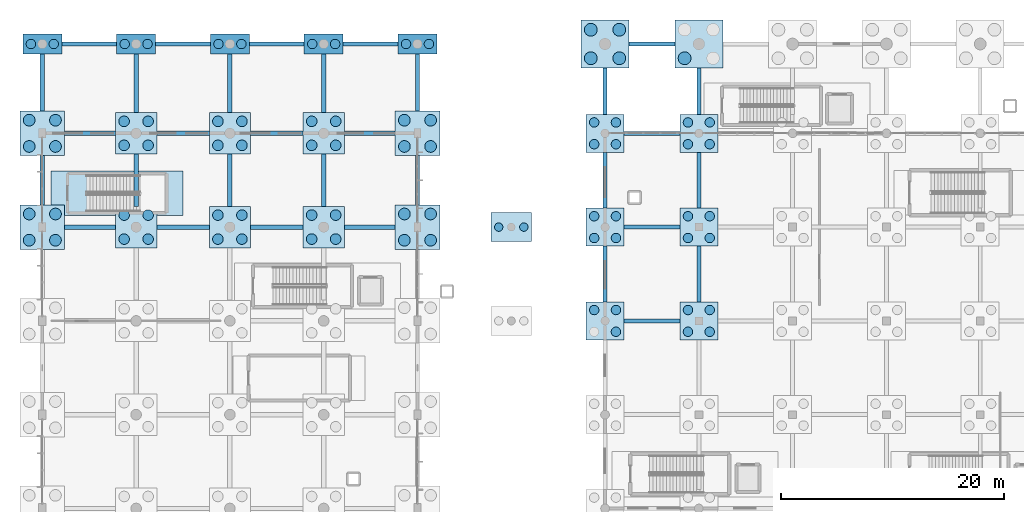
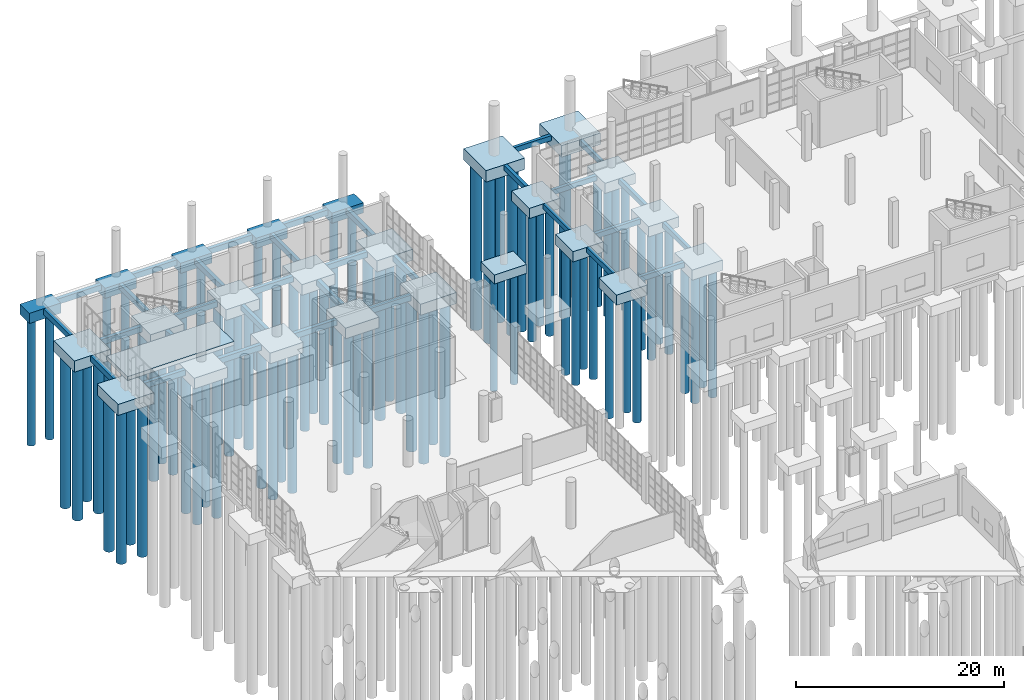
# One storey, part 6 of 83: 80 piles, 57 footings.
"""IFC4 building model written with IfcOpenShell, lengths in metres."""

from ifc_helpers import new_model, si_unit, direction, frame, origin, origin_2d, place, context, subcontext, project, spatial, rectangle, circle, extrude, material, material_profile, profile_set, type_object, element, save


model = new_model("IFC4")

# Units and contexts
model_context = context("Model", 3, precision=1e-05, world=origin(), true_north=direction((0.0, 1.0)))
body_context = subcontext(model_context, "Body", "Model", "MODEL_VIEW")
ifc_project = project(units=[si_unit("LENGTHUNIT", "METRE"), si_unit("AREAUNIT", "SQUARE_METRE"), si_unit("VOLUMEUNIT", "CUBIC_METRE"), si_unit("PLANEANGLEUNIT", "RADIAN"), si_unit("MASSUNIT", "GRAM", prefix="KILO"), si_unit("THERMODYNAMICTEMPERATUREUNIT", "KELVIN"), si_unit("POWERUNIT", "WATT")], contexts=[model_context])

# Site, building, storey
site_placement = place(None, origin())
site = spatial("IfcSite", under=ifc_project, at=site_placement, CompositionType="ELEMENT")
building_placement = place(site_placement, origin())
building = spatial("IfcBuilding", under=site, at=building_placement, Name="Mavoryth Pier Ferry Terminal", CompositionType="ELEMENT")
storey_placement = place(building_placement, origin())
storey = spatial("IfcBuildingStorey", under=building, at=storey_placement, Name="L00", CompositionType="ELEMENT", Elevation=0.0)

# Footings
ifc_material = material(Name="Concrete C35/45", Category="concrete")
footing_type_1 = type_object("IfcFootingType", Name="Cap-2P-3500x1800x1200", PredefinedType="PILE_CAP", material=ifc_material)
for number, where, z_axis, x_axis, name in (
    (1, (0.0, 114.0, -1.66015625), (0.0, 0.0, 1.0), (1.0, 0.0, 0.0), "Foundation FD-V1-1-12"),
    (2, (8.39990234375, 114.0, -1.66015625), (0.0, 0.0, 1.0), (1.0, 0.0, 0.0), "Foundation FD-V1-2-12"),
    (3, (16.800048828125, 114.0, -1.66015625), (0.0, 0.0, 1.0), (1.0, 0.0, 0.0), "Foundation FD-V1-3-12"),
    (4, (25.199951171875, 114.0, -1.66015625), (0.0, 0.0, 1.0), (1.0, 0.0, 0.0), "Foundation FD-V1-4-12"),
    (5, (33.60009765625, 114.0, -1.66015625), (0.0, 0.0, 1.0), (1.0, 0.0, 0.0), "Foundation FD-V1-5-12"),
):
    element("IfcFooting", number, at=place(storey_placement, frame(where, z_axis=z_axis, x_axis=x_axis)), inside=storey, type_object=footing_type_1, Name=name, PredefinedType="PILE_CAP", context=body_context, shape_type="SweptSolid", body=[
        extrude(rectangle(XDim=3.5, YDim=1.800048828125, at=origin_2d()), origin(), (0.0, 0.0, 1.0), 1.199951171875),
    ])
footing_type_2 = type_object("IfcFootingType", Name="Cap-4P-3400x3400x1200", PredefinedType="PILE_CAP", material=ifc_material)
for number, where, z_axis, x_axis, name in (
    (6, (50.39990234375, 89.199951171875, -1.66015625), (0.0, 0.0, 1.0), (1.0, 0.0, 0.0), "Foundation FD-V2-1-3"),
    (7, (50.39990234375, 97.60009765625, -1.66015625), (0.0, 0.0, 1.0), (1.0, 0.0, 0.0), "Foundation FD-V2-1-4"),
    (8, (50.39990234375, 106.0, -1.66015625), (0.0, 0.0, 1.0), (1.0, 0.0, 0.0), "Foundation FD-V2-1-5"),
    (9, (58.800048828125, 89.199951171875, -1.66015625), (0.0, 0.0, 1.0), (1.0, 0.0, 0.0), "Foundation FD-V2-2-3"),
    (10, (58.800048828125, 97.60009765625, -1.66015625), (0.0, 0.0, 1.0), (1.0, 0.0, 0.0), "Foundation FD-V2-2-4"),
    (11, (58.800048828125, 106.0, -1.66015625), (0.0, 0.0, 1.0), (1.0, 0.0, 0.0), "Foundation FD-V2-2-5"),
):
    element("IfcFooting", number, at=place(storey_placement, frame(where, z_axis=z_axis, x_axis=x_axis)), inside=storey, type_object=footing_type_2, Name=name, PredefinedType="PILE_CAP", context=body_context, shape_type="SweptSolid", body=[
        extrude(rectangle(XDim=3.39990234375, YDim=3.39990234375, at=origin_2d()), origin(), (0.0, 0.0, 1.0), 1.199951171875),
    ])
footing_type_3 = type_object("IfcFootingType", Name="Cap-4P-3700x3700x1250", PredefinedType="PILE_CAP", material=ifc_material)
for number, where, z_axis, x_axis, name in (
    (12, (8.39990234375, 97.60009765625, -1.7099609375), (0.0, 0.0, 1.0), (1.0, 0.0, 0.0), "Foundation FD-V1-2-10"),
    (13, (8.39990234375, 106.0, -1.7099609375), (0.0, 0.0, 1.0), (1.0, 0.0, 0.0), "Foundation FD-V1-2-11"),
    (14, (16.800048828125, 97.60009765625, -1.7099609375), (0.0, 0.0, 1.0), (1.0, 0.0, 0.0), "Foundation FD-V1-3-10"),
    (15, (16.800048828125, 106.0, -1.7099609375), (0.0, 0.0, 1.0), (1.0, 0.0, 0.0), "Foundation FD-V1-3-11"),
    (16, (25.199951171875, 97.60009765625, -1.7099609375), (0.0, 0.0, 1.0), (1.0, 0.0, 0.0), "Foundation FD-V1-4-10"),
    (17, (25.199951171875, 106.0, -1.7099609375), (0.0, 0.0, 1.0), (1.0, 0.0, 0.0), "Foundation FD-V1-4-11"),
):
    element("IfcFooting", number, at=place(storey_placement, frame(where, z_axis=z_axis, x_axis=x_axis)), inside=storey, type_object=footing_type_3, Name=name, PredefinedType="PILE_CAP", context=body_context, shape_type="SweptSolid", body=[
        extrude(rectangle(XDim=3.699951171875, YDim=3.699951171875, at=origin_2d()), origin(), (0.0, 0.0, 1.0), 1.25),
    ])
footing_type_4 = type_object("IfcFootingType", Name="Cap-4P-4000x4000x1300", PredefinedType="PILE_CAP", material=ifc_material)
for number, where, z_axis, x_axis, name in (
    (18, (0.0, 97.60009765625, -1.76025390625), (0.0, 0.0, 1.0), (1.0, 0.0, 0.0), "Foundation FD-V1-1-10"),
    (19, (0.0, 106.0, -1.76025390625), (0.0, 0.0, 1.0), (1.0, 0.0, 0.0), "Foundation FD-V1-1-11"),
    (20, (33.60009765625, 97.60009765625, -1.76025390625), (0.0, 0.0, 1.0), (1.0, 0.0, 0.0), "Foundation FD-V1-5-10"),
    (21, (33.60009765625, 106.0, -1.76025390625), (0.0, 0.0, 1.0), (1.0, 0.0, 0.0), "Foundation FD-V1-5-11"),
):
    element("IfcFooting", number, at=place(storey_placement, frame(where, z_axis=z_axis, x_axis=x_axis)), inside=storey, type_object=footing_type_4, Name=name, PredefinedType="PILE_CAP", context=body_context, shape_type="SweptSolid", body=[
        extrude(rectangle(XDim=4.0, YDim=4.0, at=origin_2d()), origin(), (0.0, 0.0, 1.0), 1.300048828125),
    ])
footing_type_5 = type_object("IfcFootingType", Name="Cap-4P-4300x4300x1350", PredefinedType="PILE_CAP", material=ifc_material)
for number, where, z_axis, x_axis, name in (
    (22, (50.39990234375, 114.0, -1.81005859375), (0.0, 0.0, 1.0), (1.0, 0.0, 0.0), "Foundation FD-V3-1-2"),
    (23, (58.800048828125, 114.0, -1.81005859375), (0.0, 0.0, 1.0), (1.0, 0.0, 0.0), "Foundation FD-V3-2-2"),
):
    element("IfcFooting", number, at=place(storey_placement, frame(where, z_axis=z_axis, x_axis=x_axis)), inside=storey, type_object=footing_type_5, Name=name, PredefinedType="PILE_CAP", context=body_context, shape_type="SweptSolid", body=[
        extrude(rectangle(XDim=4.300048828125, YDim=4.300048828125, at=origin_2d()), origin(), (0.0, 0.0, 1.0), 1.35009765625),
    ])
footing_type_6 = type_object("IfcFootingType", Name="Pad-Bridge-3600x2600x1050", PredefinedType="PAD_FOOTING", material=ifc_material)
footing_1_placement = place(storey_placement, frame((42.0, 97.60009765625, -1.51025390625), z_axis=(0.0, 0.0, 1.0), x_axis=(1.0, 0.0, 0.0)))
element("IfcFooting", 24, at=footing_1_placement, inside=storey, type_object=footing_type_6, Name="Foundation FD-BR-02", PredefinedType="PAD_FOOTING", context=body_context, shape_type="SweptSolid", body=[
    extrude(rectangle(XDim=3.60009765625, YDim=2.60009765625, at=origin_2d()), origin(), (0.0, 0.0, 1.0), 1.050048828125),
])
footing_type_7 = type_object("IfcFootingType", Name="Pad-CoreMat-11840x4000x460", PredefinedType="PAD_FOOTING", material=ifc_material)
footing_2_placement = place(storey_placement, frame((6.699951171875, 100.625, -0.4599609375), z_axis=(0.0, 0.0, 1.0), x_axis=(1.0, 0.0, 0.0)))
element("IfcFooting", 25, at=footing_2_placement, inside=storey, type_object=footing_type_7, Name="Core Foundation Mat C1C", PredefinedType="PAD_FOOTING", context=body_context, shape_type="SweptSolid", body=[
    extrude(rectangle(XDim=11.840087890625, YDim=4.0, at=origin_2d()), origin(), (0.0, 0.0, 1.0), 0.4599609375),
])

# Piles
ifc_material_profile_1 = material_profile(ifc_material, circle(Radius=0.52490234375, at=origin_2d()), Name="PILE D1050", Category="concrete")
ifc_profile_set_1 = profile_set([ifc_material_profile_1], Name="Concrete C35/45 - PILE D1050")
pile_type_1 = type_object("IfcPileType", Name="Pile-Bored-D1050", PredefinedType="BORED", material=ifc_profile_set_1)
for number, where, z_axis, x_axis, name in (
    (26, (-1.175048828125, 96.425048828125, -1.659912109375), (0.0, 0.0, -1.0), (1.0, 0.0, 0.0), "Bored Pile FD-V1-1-10-P1"),
    (27, (1.175048828125, 96.425048828125, -1.659912109375), (0.0, 0.0, -1.0), (1.0, 0.0, 0.0), "Bored Pile FD-V1-1-10-P2"),
    (28, (-1.175048828125, 98.77490234375, -1.659912109375), (0.0, 0.0, -1.0), (1.0, 0.0, 0.0), "Bored Pile FD-V1-1-10-P3"),
    (29, (1.175048828125, 98.77490234375, -1.659912109375), (0.0, 0.0, -1.0), (1.0, 0.0, 0.0), "Bored Pile FD-V1-1-10-P4"),
    (30, (-1.175048828125, 104.824951171875, -1.659912109375), (0.0, 0.0, -1.0), (1.0, 0.0, 0.0), "Bored Pile FD-V1-1-11-P1"),
    (31, (1.175048828125, 104.824951171875, -1.659912109375), (0.0, 0.0, -1.0), (1.0, 0.0, 0.0), "Bored Pile FD-V1-1-11-P2"),
    (32, (-1.175048828125, 107.175048828125, -1.659912109375), (0.0, 0.0, -1.0), (1.0, 0.0, 0.0), "Bored Pile FD-V1-1-11-P3"),
    (33, (1.175048828125, 107.175048828125, -1.659912109375), (0.0, 0.0, -1.0), (1.0, 0.0, 0.0), "Bored Pile FD-V1-1-11-P4"),
    (34, (32.425048828125, 96.425048828125, -1.659912109375), (0.0, 0.0, -1.0), (1.0, 0.0, 0.0), "Bored Pile FD-V1-5-10-P1"),
    (35, (34.77490234375, 96.425048828125, -1.659912109375), (0.0, 0.0, -1.0), (1.0, 0.0, 0.0), "Bored Pile FD-V1-5-10-P2"),
    (36, (32.425048828125, 98.77490234375, -1.659912109375), (0.0, 0.0, -1.0), (1.0, 0.0, 0.0), "Bored Pile FD-V1-5-10-P3"),
    (37, (34.77490234375, 98.77490234375, -1.659912109375), (0.0, 0.0, -1.0), (1.0, 0.0, 0.0), "Bored Pile FD-V1-5-10-P4"),
    (38, (32.425048828125, 104.824951171875, -1.659912109375), (0.0, 0.0, -1.0), (1.0, 0.0, 0.0), "Bored Pile FD-V1-5-11-P1"),
    (39, (34.77490234375, 104.824951171875, -1.659912109375), (0.0, 0.0, -1.0), (1.0, 0.0, 0.0), "Bored Pile FD-V1-5-11-P2"),
    (40, (32.425048828125, 107.175048828125, -1.659912109375), (0.0, 0.0, -1.0), (1.0, 0.0, 0.0), "Bored Pile FD-V1-5-11-P3"),
    (41, (34.77490234375, 107.175048828125, -1.659912109375), (0.0, 0.0, -1.0), (1.0, 0.0, 0.0), "Bored Pile FD-V1-5-11-P4"),
):
    element("IfcPile", number, at=place(storey_placement, frame(where, z_axis=z_axis, x_axis=x_axis)), inside=storey, type_object=pile_type_1, Name=name, PredefinedType="BORED", context=body_context, shape_type="SweptSolid", body=[
        extrude(circle(Radius=0.52490234375, at=origin_2d()), origin(), (0.0, 0.0, 1.0), 18.0),
    ])
ifc_material_profile_2 = material_profile(ifc_material, circle(Radius=0.574951171875, at=origin_2d()), Name="PILE D1150", Category="concrete")
ifc_profile_set_2 = profile_set([ifc_material_profile_2], Name="Concrete C35/45 - PILE D1150")
pile_type_2 = type_object("IfcPileType", Name="Pile-Bored-D1150", PredefinedType="BORED", material=ifc_profile_set_2)
for number, where, z_axis, x_axis, name in (
    (42, (49.125, 112.72509765625, -1.7099609375), (0.0, 0.0, -1.0), (1.0, 0.0, 0.0), "Bored Pile FD-V3-1-2-P1"),
    (43, (51.675048828125, 112.72509765625, -1.7099609375), (0.0, 0.0, -1.0), (1.0, 0.0, 0.0), "Bored Pile FD-V3-1-2-P2"),
    (44, (49.125, 115.27490234375, -1.7099609375), (0.0, 0.0, -1.0), (1.0, 0.0, 0.0), "Bored Pile FD-V3-1-2-P3"),
    (45, (51.675048828125, 115.27490234375, -1.7099609375), (0.0, 0.0, -1.0), (1.0, 0.0, 0.0), "Bored Pile FD-V3-1-2-P4"),
    (46, (57.52490234375, 112.72509765625, -1.7099609375), (0.0, 0.0, -1.0), (1.0, 0.0, 0.0), "Bored Pile FD-V3-2-2-P1"),
):
    element("IfcPile", number, at=place(storey_placement, frame(where, z_axis=z_axis, x_axis=x_axis)), inside=storey, type_object=pile_type_2, Name=name, PredefinedType="BORED", context=body_context, shape_type="SweptSolid", body=[
        extrude(circle(Radius=0.574951171875, at=origin_2d()), origin(), (0.0, 0.0, 1.0), 19.5),
    ])
ifc_material_profile_3 = material_profile(ifc_material, circle(Radius=0.375, at=origin_2d()), Name="PILE D750", Category="concrete")
ifc_profile_set_3 = profile_set([ifc_material_profile_3], Name="Concrete C35/45 - PILE D750")
pile_type_3 = type_object("IfcPileType", Name="Pile-Bored-D750", PredefinedType="BORED", material=ifc_profile_set_3)
for number, where, z_axis, x_axis, name in (
    (47, (40.875, 97.60009765625, -1.409912109375), (0.0, 0.0, -1.0), (1.0, 0.0, 0.0), "Bored Pile FD-BR-02-P1"),
    (48, (43.125, 97.60009765625, -1.409912109375), (0.0, 0.0, -1.0), (1.0, 0.0, 0.0), "Bored Pile FD-BR-02-P2"),
):
    element("IfcPile", number, at=place(storey_placement, frame(where, z_axis=z_axis, x_axis=x_axis)), inside=storey, type_object=pile_type_3, Name=name, PredefinedType="BORED", context=body_context, shape_type="SweptSolid", body=[
        extrude(circle(Radius=0.375, at=origin_2d()), origin(), (0.0, 0.0, 1.0), 13.5),
    ])
ifc_material_profile_4 = material_profile(ifc_material, circle(Radius=0.425048828125, at=origin_2d()), Name="PILE D850", Category="concrete")
ifc_profile_set_4 = profile_set([ifc_material_profile_4], Name="Concrete C35/45 - PILE D850")
pile_type_4 = type_object("IfcPileType", Name="Pile-Bored-D850", PredefinedType="BORED", material=ifc_profile_set_4)
for number, where, z_axis, x_axis, name in (
    (49, (-1.02490234375, 114.0, -1.56005859375), (0.0, 0.0, -1.0), (1.0, 0.0, 0.0), "Bored Pile FD-V1-1-12-P1"),
    (50, (1.02490234375, 114.0, -1.56005859375), (0.0, 0.0, -1.0), (1.0, 0.0, 0.0), "Bored Pile FD-V1-1-12-P2"),
    (51, (7.375, 114.0, -1.56005859375), (0.0, 0.0, -1.0), (1.0, 0.0, 0.0), "Bored Pile FD-V1-2-12-P1"),
    (52, (9.425048828125, 114.0, -1.56005859375), (0.0, 0.0, -1.0), (1.0, 0.0, 0.0), "Bored Pile FD-V1-2-12-P2"),
    (53, (15.77490234375, 114.0, -1.56005859375), (0.0, 0.0, -1.0), (1.0, 0.0, 0.0), "Bored Pile FD-V1-3-12-P1"),
    (54, (17.824951171875, 114.0, -1.56005859375), (0.0, 0.0, -1.0), (1.0, 0.0, 0.0), "Bored Pile FD-V1-3-12-P2"),
    (55, (24.175048828125, 114.0, -1.56005859375), (0.0, 0.0, -1.0), (1.0, 0.0, 0.0), "Bored Pile FD-V1-4-12-P1"),
    (56, (26.22509765625, 114.0, -1.56005859375), (0.0, 0.0, -1.0), (1.0, 0.0, 0.0), "Bored Pile FD-V1-4-12-P2"),
    (57, (32.574951171875, 114.0, -1.56005859375), (0.0, 0.0, -1.0), (1.0, 0.0, 0.0), "Bored Pile FD-V1-5-12-P1"),
    (58, (34.625, 114.0, -1.56005859375), (0.0, 0.0, -1.0), (1.0, 0.0, 0.0), "Bored Pile FD-V1-5-12-P2"),
    (59, (51.375, 88.22509765625, -1.56005859375), (0.0, 0.0, -1.0), (1.0, 0.0, 0.0), "Bored Pile FD-V2-1-3-P2"),
    (60, (49.425048828125, 90.175048828125, -1.56005859375), (0.0, 0.0, -1.0), (1.0, 0.0, 0.0), "Bored Pile FD-V2-1-3-P3"),
    (61, (51.375, 90.175048828125, -1.56005859375), (0.0, 0.0, -1.0), (1.0, 0.0, 0.0), "Bored Pile FD-V2-1-3-P4"),
    (62, (49.425048828125, 96.625, -1.56005859375), (0.0, 0.0, -1.0), (1.0, 0.0, 0.0), "Bored Pile FD-V2-1-4-P1"),
    (63, (51.375, 96.625, -1.56005859375), (0.0, 0.0, -1.0), (1.0, 0.0, 0.0), "Bored Pile FD-V2-1-4-P2"),
    (64, (49.425048828125, 98.574951171875, -1.56005859375), (0.0, 0.0, -1.0), (1.0, 0.0, 0.0), "Bored Pile FD-V2-1-4-P3"),
    (65, (51.375, 98.574951171875, -1.56005859375), (0.0, 0.0, -1.0), (1.0, 0.0, 0.0), "Bored Pile FD-V2-1-4-P4"),
    (66, (49.425048828125, 105.02490234375, -1.56005859375), (0.0, 0.0, -1.0), (1.0, 0.0, 0.0), "Bored Pile FD-V2-1-5-P1"),
    (67, (51.375, 105.02490234375, -1.56005859375), (0.0, 0.0, -1.0), (1.0, 0.0, 0.0), "Bored Pile FD-V2-1-5-P2"),
    (68, (49.425048828125, 106.97509765625, -1.56005859375), (0.0, 0.0, -1.0), (1.0, 0.0, 0.0), "Bored Pile FD-V2-1-5-P3"),
    (69, (51.375, 106.97509765625, -1.56005859375), (0.0, 0.0, -1.0), (1.0, 0.0, 0.0), "Bored Pile FD-V2-1-5-P4"),
    (70, (57.824951171875, 88.22509765625, -1.56005859375), (0.0, 0.0, -1.0), (1.0, 0.0, 0.0), "Bored Pile FD-V2-2-3-P1"),
    (71, (59.77490234375, 88.22509765625, -1.56005859375), (0.0, 0.0, -1.0), (1.0, 0.0, 0.0), "Bored Pile FD-V2-2-3-P2"),
    (72, (57.824951171875, 90.175048828125, -1.56005859375), (0.0, 0.0, -1.0), (1.0, 0.0, 0.0), "Bored Pile FD-V2-2-3-P3"),
    (73, (59.77490234375, 90.175048828125, -1.56005859375), (0.0, 0.0, -1.0), (1.0, 0.0, 0.0), "Bored Pile FD-V2-2-3-P4"),
    (74, (57.824951171875, 96.625, -1.56005859375), (0.0, 0.0, -1.0), (1.0, 0.0, 0.0), "Bored Pile FD-V2-2-4-P1"),
    (75, (59.77490234375, 96.625, -1.56005859375), (0.0, 0.0, -1.0), (1.0, 0.0, 0.0), "Bored Pile FD-V2-2-4-P2"),
    (76, (57.824951171875, 98.574951171875, -1.56005859375), (0.0, 0.0, -1.0), (1.0, 0.0, 0.0), "Bored Pile FD-V2-2-4-P3"),
    (77, (59.77490234375, 98.574951171875, -1.56005859375), (0.0, 0.0, -1.0), (1.0, 0.0, 0.0), "Bored Pile FD-V2-2-4-P4"),
    (78, (57.824951171875, 105.02490234375, -1.56005859375), (0.0, 0.0, -1.0), (1.0, 0.0, 0.0), "Bored Pile FD-V2-2-5-P1"),
    (79, (59.77490234375, 105.02490234375, -1.56005859375), (0.0, 0.0, -1.0), (1.0, 0.0, 0.0), "Bored Pile FD-V2-2-5-P2"),
    (80, (57.824951171875, 106.97509765625, -1.56005859375), (0.0, 0.0, -1.0), (1.0, 0.0, 0.0), "Bored Pile FD-V2-2-5-P3"),
    (81, (59.77490234375, 106.97509765625, -1.56005859375), (0.0, 0.0, -1.0), (1.0, 0.0, 0.0), "Bored Pile FD-V2-2-5-P4"),
):
    element("IfcPile", number, at=place(storey_placement, frame(where, z_axis=z_axis, x_axis=x_axis)), inside=storey, type_object=pile_type_4, Name=name, PredefinedType="BORED", context=body_context, shape_type="SweptSolid", body=[
        extrude(circle(Radius=0.425048828125, at=origin_2d()), origin(), (0.0, 0.0, 1.0), 15.0),
    ])
ifc_material_profile_5 = material_profile(ifc_material, circle(Radius=0.47509765625, at=origin_2d()), Name="PILE D950", Category="concrete")
ifc_profile_set_5 = profile_set([ifc_material_profile_5], Name="Concrete C35/45 - PILE D950")
pile_type_5 = type_object("IfcPileType", Name="Pile-Bored-D950", PredefinedType="BORED", material=ifc_profile_set_5)
for number, where, z_axis, x_axis, name in (
    (82, (7.324951171875, 96.52490234375, -1.610107421875), (0.0, 0.0, -1.0), (1.0, 0.0, 0.0), "Bored Pile FD-V1-2-10-P1"),
    (83, (9.47509765625, 96.52490234375, -1.610107421875), (0.0, 0.0, -1.0), (1.0, 0.0, 0.0), "Bored Pile FD-V1-2-10-P2"),
    (84, (7.324951171875, 98.675048828125, -1.610107421875), (0.0, 0.0, -1.0), (1.0, 0.0, 0.0), "Bored Pile FD-V1-2-10-P3"),
    (85, (9.47509765625, 98.675048828125, -1.610107421875), (0.0, 0.0, -1.0), (1.0, 0.0, 0.0), "Bored Pile FD-V1-2-10-P4"),
    (86, (7.324951171875, 104.925048828125, -1.610107421875), (0.0, 0.0, -1.0), (1.0, 0.0, 0.0), "Bored Pile FD-V1-2-11-P1"),
    (87, (9.47509765625, 104.925048828125, -1.610107421875), (0.0, 0.0, -1.0), (1.0, 0.0, 0.0), "Bored Pile FD-V1-2-11-P2"),
    (88, (7.324951171875, 107.074951171875, -1.610107421875), (0.0, 0.0, -1.0), (1.0, 0.0, 0.0), "Bored Pile FD-V1-2-11-P3"),
    (89, (9.47509765625, 107.074951171875, -1.610107421875), (0.0, 0.0, -1.0), (1.0, 0.0, 0.0), "Bored Pile FD-V1-2-11-P4"),
    (90, (15.72509765625, 96.52490234375, -1.610107421875), (0.0, 0.0, -1.0), (1.0, 0.0, 0.0), "Bored Pile FD-V1-3-10-P1"),
    (91, (17.875, 96.52490234375, -1.610107421875), (0.0, 0.0, -1.0), (1.0, 0.0, 0.0), "Bored Pile FD-V1-3-10-P2"),
    (92, (15.72509765625, 98.675048828125, -1.610107421875), (0.0, 0.0, -1.0), (1.0, 0.0, 0.0), "Bored Pile FD-V1-3-10-P3"),
    (93, (17.875, 98.675048828125, -1.610107421875), (0.0, 0.0, -1.0), (1.0, 0.0, 0.0), "Bored Pile FD-V1-3-10-P4"),
    (94, (15.72509765625, 104.925048828125, -1.610107421875), (0.0, 0.0, -1.0), (1.0, 0.0, 0.0), "Bored Pile FD-V1-3-11-P1"),
    (95, (17.875, 104.925048828125, -1.610107421875), (0.0, 0.0, -1.0), (1.0, 0.0, 0.0), "Bored Pile FD-V1-3-11-P2"),
    (96, (15.72509765625, 107.074951171875, -1.610107421875), (0.0, 0.0, -1.0), (1.0, 0.0, 0.0), "Bored Pile FD-V1-3-11-P3"),
    (97, (17.875, 107.074951171875, -1.610107421875), (0.0, 0.0, -1.0), (1.0, 0.0, 0.0), "Bored Pile FD-V1-3-11-P4"),
    (98, (24.125, 96.52490234375, -1.610107421875), (0.0, 0.0, -1.0), (1.0, 0.0, 0.0), "Bored Pile FD-V1-4-10-P1"),
    (99, (26.27490234375, 96.52490234375, -1.610107421875), (0.0, 0.0, -1.0), (1.0, 0.0, 0.0), "Bored Pile FD-V1-4-10-P2"),
    (100, (24.125, 98.675048828125, -1.610107421875), (0.0, 0.0, -1.0), (1.0, 0.0, 0.0), "Bored Pile FD-V1-4-10-P3"),
    (101, (26.27490234375, 98.675048828125, -1.610107421875), (0.0, 0.0, -1.0), (1.0, 0.0, 0.0), "Bored Pile FD-V1-4-10-P4"),
    (102, (24.125, 104.925048828125, -1.610107421875), (0.0, 0.0, -1.0), (1.0, 0.0, 0.0), "Bored Pile FD-V1-4-11-P1"),
    (103, (26.27490234375, 104.925048828125, -1.610107421875), (0.0, 0.0, -1.0), (1.0, 0.0, 0.0), "Bored Pile FD-V1-4-11-P2"),
    (104, (24.125, 107.074951171875, -1.610107421875), (0.0, 0.0, -1.0), (1.0, 0.0, 0.0), "Bored Pile FD-V1-4-11-P3"),
    (105, (26.27490234375, 107.074951171875, -1.610107421875), (0.0, 0.0, -1.0), (1.0, 0.0, 0.0), "Bored Pile FD-V1-4-11-P4"),
):
    element("IfcPile", number, at=place(storey_placement, frame(where, z_axis=z_axis, x_axis=x_axis)), inside=storey, type_object=pile_type_5, Name=name, PredefinedType="BORED", context=body_context, shape_type="SweptSolid", body=[
        extrude(circle(Radius=0.47509765625, at=origin_2d()), origin(), (0.0, 0.0, 1.0), 16.5),
    ])

# Footings
ifc_material_profile_6 = material_profile(ifc_material, rectangle(XDim=0.35009765625, YDim=0.60009765625, at=origin_2d()), Name="RC 350x600", Category="concrete")
ifc_profile_set_6 = profile_set([ifc_material_profile_6], Name="Concrete C35/45 - RC 350x600")
footing_type_8 = type_object("IfcFootingType", Name="TieBeam-RC-350x600", PredefinedType="FOOTING_BEAM", material=ifc_profile_set_6)
for number, where, z_axis, x_axis, name in (
    (106, (52.10009765625, 89.199951171875, -0.760009765625), (1.0, 0.0, 0.0), (0.0, 1.0, 0.0), "Footing Tie Beam 136"),
    (107, (52.10009765625, 97.60009765625, -0.760009765625), (1.0, 0.0, 0.0), (0.0, 1.0, 0.0), "Footing Tie Beam 141"),
    (108, (52.10009765625, 106.0, -0.760009765625), (1.0, 0.0, 0.0), (0.0, 1.0, 0.0), "Footing Tie Beam 146"),
):
    element("IfcFooting", number, at=place(storey_placement, frame(where, z_axis=z_axis, x_axis=x_axis)), inside=storey, type_object=footing_type_8, Name=name, PredefinedType="FOOTING_BEAM", context=body_context, shape_type="SweptSolid", body=[
        extrude(rectangle(XDim=0.35009765625, YDim=0.60009765625, at=origin_2d()), origin(), (0.0, 0.0, 1.0), 5.0),
    ])
footing_3_placement = place(storey_placement, frame((52.550048828125, 114.0, -0.760009765625), z_axis=(1.0, 0.0, 0.0), x_axis=(0.0, 1.0, 0.0)))
element("IfcFooting", 109, at=footing_3_placement, inside=storey, type_object=footing_type_8, Name="Footing Tie Beam 151", PredefinedType="FOOTING_BEAM", context=body_context, shape_type="SweptSolid", body=[
    extrude(rectangle(XDim=0.35009765625, YDim=0.60009765625, at=origin_2d()), origin(), (0.0, 0.0, 1.0), 4.099853515625),
])
for number, where, z_axis, x_axis, name in (
    (110, (50.39990234375, 90.89990234375, -0.760009765625), (0.0, 1.0, 0.0), (-1.0, 0.0, 0.0), "Footing Tie Beam 158"),
    (111, (50.39990234375, 99.300048828125, -0.760009765625), (0.0, 1.0, 0.0), (-1.0, 0.0, 0.0), "Footing Tie Beam 159"),
):
    element("IfcFooting", number, at=place(storey_placement, frame(where, z_axis=z_axis, x_axis=x_axis)), inside=storey, type_object=footing_type_8, Name=name, PredefinedType="FOOTING_BEAM", context=body_context, shape_type="SweptSolid", body=[
        extrude(rectangle(XDim=0.35009765625, YDim=0.60009765625, at=origin_2d()), origin(), (0.0, 0.0, 1.0), 5.0),
    ])
footing_4_placement = place(storey_placement, frame((50.39990234375, 107.699951171875, -0.760009765625), z_axis=(0.0, 1.0, 0.0), x_axis=(-1.0, 0.0, 0.0)))
element("IfcFooting", 112, at=footing_4_placement, inside=storey, type_object=footing_type_8, Name="Footing Tie Beam 160", PredefinedType="FOOTING_BEAM", context=body_context, shape_type="SweptSolid", body=[
    extrude(rectangle(XDim=0.35009765625, YDim=0.60009765625, at=origin_2d()), origin(), (0.0, 0.0, 1.0), 4.150146484375),
])
for number, where, z_axis, x_axis, name in (
    (113, (58.800048828125, 90.89990234375, -0.760009765625), (0.0, 1.0, 0.0), (-1.0, 0.0, 0.0), "Footing Tie Beam 163"),
    (114, (58.800048828125, 99.300048828125, -0.760009765625), (0.0, 1.0, 0.0), (-1.0, 0.0, 0.0), "Footing Tie Beam 164"),
):
    element("IfcFooting", number, at=place(storey_placement, frame(where, z_axis=z_axis, x_axis=x_axis)), inside=storey, type_object=footing_type_8, Name=name, PredefinedType="FOOTING_BEAM", context=body_context, shape_type="SweptSolid", body=[
        extrude(rectangle(XDim=0.35009765625, YDim=0.60009765625, at=origin_2d()), origin(), (0.0, 0.0, 1.0), 5.0),
    ])
footing_5_placement = place(storey_placement, frame((58.800048828125, 107.699951171875, -0.760009765625), z_axis=(0.0, 1.0, 0.0), x_axis=(-1.0, 0.0, 0.0)))
element("IfcFooting", 115, at=footing_5_placement, inside=storey, type_object=footing_type_8, Name="Footing Tie Beam 165", PredefinedType="FOOTING_BEAM", context=body_context, shape_type="SweptSolid", body=[
    extrude(rectangle(XDim=0.35009765625, YDim=0.60009765625, at=origin_2d()), origin(), (0.0, 0.0, 1.0), 4.150146484375),
])
ifc_material_profile_7 = material_profile(ifc_material, rectangle(XDim=0.39990234375, YDim=0.64990234375, at=origin_2d()), Name="RC 400x650", Category="concrete")
ifc_profile_set_7 = profile_set([ifc_material_profile_7], Name="Concrete C35/45 - RC 400x650")
footing_type_9 = type_object("IfcFootingType", Name="TieBeam-RC-400x650", PredefinedType="FOOTING_BEAM", material=ifc_profile_set_7)
footing_6_placement = place(storey_placement, frame((2.0, 97.60009765625, -0.784912109375), z_axis=(1.0, 0.0, 0.0), x_axis=(0.0, 1.0, 0.0)))
element("IfcFooting", 116, at=footing_6_placement, inside=storey, type_object=footing_type_9, Name="Footing Tie Beam 59", PredefinedType="FOOTING_BEAM", context=body_context, shape_type="SweptSolid", body=[
    extrude(rectangle(XDim=0.39990234375, YDim=0.64990234375, at=origin_2d()), origin(), (0.0, 0.0, 1.0), 4.550048828125),
])
footing_7_placement = place(storey_placement, frame((10.25, 97.60009765625, -0.784912109375), z_axis=(1.0, 0.0, 0.0), x_axis=(0.0, 1.0, 0.0)))
element("IfcFooting", 117, at=footing_7_placement, inside=storey, type_object=footing_type_9, Name="Footing Tie Beam 60", PredefinedType="FOOTING_BEAM", context=body_context, shape_type="SweptSolid", body=[
    extrude(rectangle(XDim=0.39990234375, YDim=0.64990234375, at=origin_2d()), origin(), (0.0, 0.0, 1.0), 4.699951171875),
])
footing_8_placement = place(storey_placement, frame((18.64990234375, 97.60009765625, -0.784912109375), z_axis=(1.0, 0.0, 0.0), x_axis=(0.0, 1.0, 0.0)))
element("IfcFooting", 118, at=footing_8_placement, inside=storey, type_object=footing_type_9, Name="Footing Tie Beam 61", PredefinedType="FOOTING_BEAM", context=body_context, shape_type="SweptSolid", body=[
    extrude(rectangle(XDim=0.39990234375, YDim=0.64990234375, at=origin_2d()), origin(), (0.0, 0.0, 1.0), 4.7001953125),
])
for number, where, z_axis, x_axis, name in (
    (119, (27.050048828125, 97.60009765625, -0.784912109375), (1.0, 0.0, 0.0), (0.0, 1.0, 0.0), "Footing Tie Beam 62"),
    (120, (2.0, 106.0, -0.784912109375), (1.0, 0.0, 0.0), (0.0, 1.0, 0.0), "Footing Tie Beam 63"),
):
    element("IfcFooting", number, at=place(storey_placement, frame(where, z_axis=z_axis, x_axis=x_axis)), inside=storey, type_object=footing_type_9, Name=name, PredefinedType="FOOTING_BEAM", context=body_context, shape_type="SweptSolid", body=[
        extrude(rectangle(XDim=0.39990234375, YDim=0.64990234375, at=origin_2d()), origin(), (0.0, 0.0, 1.0), 4.550048828125),
    ])
footing_9_placement = place(storey_placement, frame((10.25, 106.0, -0.784912109375), z_axis=(1.0, 0.0, 0.0), x_axis=(0.0, 1.0, 0.0)))
element("IfcFooting", 121, at=footing_9_placement, inside=storey, type_object=footing_type_9, Name="Footing Tie Beam 64", PredefinedType="FOOTING_BEAM", context=body_context, shape_type="SweptSolid", body=[
    extrude(rectangle(XDim=0.39990234375, YDim=0.64990234375, at=origin_2d()), origin(), (0.0, 0.0, 1.0), 4.699951171875),
])
footing_10_placement = place(storey_placement, frame((18.64990234375, 106.0, -0.784912109375), z_axis=(1.0, 0.0, 0.0), x_axis=(0.0, 1.0, 0.0)))
element("IfcFooting", 122, at=footing_10_placement, inside=storey, type_object=footing_type_9, Name="Footing Tie Beam 65", PredefinedType="FOOTING_BEAM", context=body_context, shape_type="SweptSolid", body=[
    extrude(rectangle(XDim=0.39990234375, YDim=0.64990234375, at=origin_2d()), origin(), (0.0, 0.0, 1.0), 4.7001953125),
])
footing_11_placement = place(storey_placement, frame((27.050048828125, 106.0, -0.784912109375), z_axis=(1.0, 0.0, 0.0), x_axis=(0.0, 1.0, 0.0)))
element("IfcFooting", 123, at=footing_11_placement, inside=storey, type_object=footing_type_9, Name="Footing Tie Beam 66", PredefinedType="FOOTING_BEAM", context=body_context, shape_type="SweptSolid", body=[
    extrude(rectangle(XDim=0.39990234375, YDim=0.64990234375, at=origin_2d()), origin(), (0.0, 0.0, 1.0), 4.550048828125),
])
footing_12_placement = place(storey_placement, frame((1.75, 114.0, -0.784912109375), z_axis=(1.0, 0.0, 0.0), x_axis=(0.0, 1.0, 0.0)))
element("IfcFooting", 124, at=footing_12_placement, inside=storey, type_object=footing_type_9, Name="Footing Tie Beam 67", PredefinedType="FOOTING_BEAM", context=body_context, shape_type="SweptSolid", body=[
    extrude(rectangle(XDim=0.39990234375, YDim=0.64990234375, at=origin_2d()), origin(), (0.0, 0.0, 1.0), 4.89990234375),
])
footing_13_placement = place(storey_placement, frame((10.14990234375, 114.0, -0.784912109375), z_axis=(1.0, 0.0, 0.0), x_axis=(0.0, 1.0, 0.0)))
element("IfcFooting", 125, at=footing_13_placement, inside=storey, type_object=footing_type_9, Name="Footing Tie Beam 68", PredefinedType="FOOTING_BEAM", context=body_context, shape_type="SweptSolid", body=[
    extrude(rectangle(XDim=0.39990234375, YDim=0.64990234375, at=origin_2d()), origin(), (0.0, 0.0, 1.0), 4.900146484375),
])
footing_14_placement = place(storey_placement, frame((18.550048828125, 114.0, -0.784912109375), z_axis=(1.0, 0.0, 0.0), x_axis=(0.0, 1.0, 0.0)))
element("IfcFooting", 126, at=footing_14_placement, inside=storey, type_object=footing_type_9, Name="Footing Tie Beam 69", PredefinedType="FOOTING_BEAM", context=body_context, shape_type="SweptSolid", body=[
    extrude(rectangle(XDim=0.39990234375, YDim=0.64990234375, at=origin_2d()), origin(), (0.0, 0.0, 1.0), 4.89990234375),
])
footing_15_placement = place(storey_placement, frame((26.949951171875, 114.0, -0.784912109375), z_axis=(1.0, 0.0, 0.0), x_axis=(0.0, 1.0, 0.0)))
element("IfcFooting", 127, at=footing_15_placement, inside=storey, type_object=footing_type_9, Name="Footing Tie Beam 70", PredefinedType="FOOTING_BEAM", context=body_context, shape_type="SweptSolid", body=[
    extrude(rectangle(XDim=0.39990234375, YDim=0.64990234375, at=origin_2d()), origin(), (0.0, 0.0, 1.0), 4.900146484375),
])
footing_16_placement = place(storey_placement, frame((0.0, 99.60009765625, -0.784912109375), z_axis=(0.0, 1.0, 0.0), x_axis=(-1.0, 0.0, 0.0)))
element("IfcFooting", 128, at=footing_16_placement, inside=storey, type_object=footing_type_9, Name="Footing Tie Beam 80", PredefinedType="FOOTING_BEAM", context=body_context, shape_type="SweptSolid", body=[
    extrude(rectangle(XDim=0.39990234375, YDim=0.64990234375, at=origin_2d()), origin(), (0.0, 0.0, 1.0), 4.39990234375),
])
footing_17_placement = place(storey_placement, frame((0.0, 108.0, -0.784912109375), z_axis=(0.0, 1.0, 0.0), x_axis=(-1.0, 0.0, 0.0)))
element("IfcFooting", 129, at=footing_17_placement, inside=storey, type_object=footing_type_9, Name="Footing Tie Beam 81", PredefinedType="FOOTING_BEAM", context=body_context, shape_type="SweptSolid", body=[
    extrude(rectangle(XDim=0.39990234375, YDim=0.64990234375, at=origin_2d()), origin(), (0.0, 0.0, 1.0), 5.10009765625),
])
footing_18_placement = place(storey_placement, frame((8.39990234375, 99.449951171875, -0.784912109375), z_axis=(0.0, 1.0, 0.0), x_axis=(-1.0, 0.0, 0.0)))
element("IfcFooting", 130, at=footing_18_placement, inside=storey, type_object=footing_type_9, Name="Footing Tie Beam 91", PredefinedType="FOOTING_BEAM", context=body_context, shape_type="SweptSolid", body=[
    extrude(rectangle(XDim=0.39990234375, YDim=0.64990234375, at=origin_2d()), origin(), (0.0, 0.0, 1.0), 4.699951171875),
])
footing_19_placement = place(storey_placement, frame((8.39990234375, 107.85009765625, -0.784912109375), z_axis=(0.0, 1.0, 0.0), x_axis=(-1.0, 0.0, 0.0)))
element("IfcFooting", 131, at=footing_19_placement, inside=storey, type_object=footing_type_9, Name="Footing Tie Beam 92", PredefinedType="FOOTING_BEAM", context=body_context, shape_type="SweptSolid", body=[
    extrude(rectangle(XDim=0.39990234375, YDim=0.64990234375, at=origin_2d()), origin(), (0.0, 0.0, 1.0), 5.25),
])
footing_20_placement = place(storey_placement, frame((16.800048828125, 99.449951171875, -0.784912109375), z_axis=(0.0, 1.0, 0.0), x_axis=(-1.0, 0.0, 0.0)))
element("IfcFooting", 132, at=footing_20_placement, inside=storey, type_object=footing_type_9, Name="Footing Tie Beam 102", PredefinedType="FOOTING_BEAM", context=body_context, shape_type="SweptSolid", body=[
    extrude(rectangle(XDim=0.39990234375, YDim=0.64990234375, at=origin_2d()), origin(), (0.0, 0.0, 1.0), 4.699951171875),
])
footing_21_placement = place(storey_placement, frame((16.800048828125, 107.85009765625, -0.784912109375), z_axis=(0.0, 1.0, 0.0), x_axis=(-1.0, 0.0, 0.0)))
element("IfcFooting", 133, at=footing_21_placement, inside=storey, type_object=footing_type_9, Name="Footing Tie Beam 103", PredefinedType="FOOTING_BEAM", context=body_context, shape_type="SweptSolid", body=[
    extrude(rectangle(XDim=0.39990234375, YDim=0.64990234375, at=origin_2d()), origin(), (0.0, 0.0, 1.0), 5.25),
])
footing_22_placement = place(storey_placement, frame((25.199951171875, 99.449951171875, -0.784912109375), z_axis=(0.0, 1.0, 0.0), x_axis=(-1.0, 0.0, 0.0)))
element("IfcFooting", 134, at=footing_22_placement, inside=storey, type_object=footing_type_9, Name="Footing Tie Beam 113", PredefinedType="FOOTING_BEAM", context=body_context, shape_type="SweptSolid", body=[
    extrude(rectangle(XDim=0.39990234375, YDim=0.64990234375, at=origin_2d()), origin(), (0.0, 0.0, 1.0), 4.699951171875),
])
footing_23_placement = place(storey_placement, frame((25.199951171875, 107.85009765625, -0.784912109375), z_axis=(0.0, 1.0, 0.0), x_axis=(-1.0, 0.0, 0.0)))
element("IfcFooting", 135, at=footing_23_placement, inside=storey, type_object=footing_type_9, Name="Footing Tie Beam 114", PredefinedType="FOOTING_BEAM", context=body_context, shape_type="SweptSolid", body=[
    extrude(rectangle(XDim=0.39990234375, YDim=0.64990234375, at=origin_2d()), origin(), (0.0, 0.0, 1.0), 5.25),
])
footing_24_placement = place(storey_placement, frame((33.60009765625, 99.60009765625, -0.784912109375), z_axis=(0.0, 1.0, 0.0), x_axis=(-1.0, 0.0, 0.0)))
element("IfcFooting", 136, at=footing_24_placement, inside=storey, type_object=footing_type_9, Name="Footing Tie Beam 124", PredefinedType="FOOTING_BEAM", context=body_context, shape_type="SweptSolid", body=[
    extrude(rectangle(XDim=0.39990234375, YDim=0.64990234375, at=origin_2d()), origin(), (0.0, 0.0, 1.0), 4.39990234375),
])
footing_25_placement = place(storey_placement, frame((33.60009765625, 108.0, -0.784912109375), z_axis=(0.0, 1.0, 0.0), x_axis=(-1.0, 0.0, 0.0)))
element("IfcFooting", 137, at=footing_25_placement, inside=storey, type_object=footing_type_9, Name="Footing Tie Beam 125", PredefinedType="FOOTING_BEAM", context=body_context, shape_type="SweptSolid", body=[
    extrude(rectangle(XDim=0.39990234375, YDim=0.64990234375, at=origin_2d()), origin(), (0.0, 0.0, 1.0), 5.10009765625),
])

save(model, "model.ifc")
